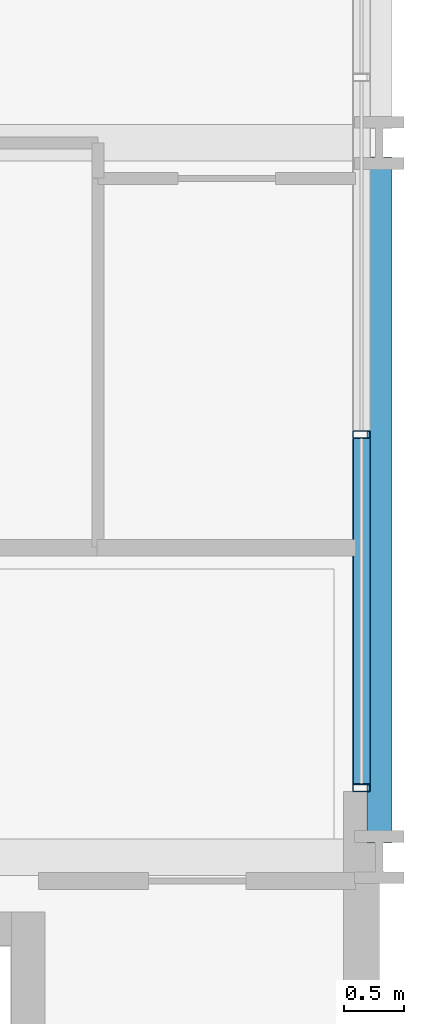
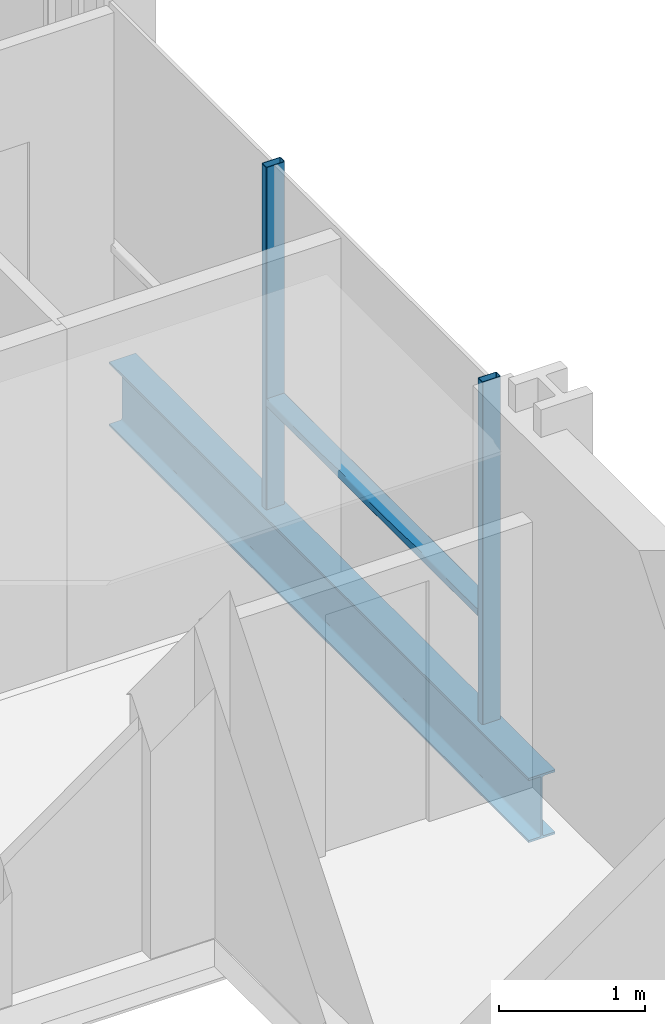
# One storey, part 15 of 41: 3 members, 1 beam, 1 element without a shape of its own.
"""IFC4 building model written with IfcOpenShell, lengths in metres."""

from ifc_helpers import new_model, si_unit, direction, frame, origin, origin_2d, place, context, subcontext, project, spatial, hollow_rectangle, i_section, extrude, material, layer, layer_set, material_profile, profile_set, type_object, element, aggregate, save


model = new_model("IFC4")

# Units and contexts
model_context = context("Model", 3, precision=1e-05, world=origin(), true_north=direction((0.0, 1.0)))
body_context = subcontext(model_context, "Body", "Model", "MODEL_VIEW")
ifc_project = project(units=[si_unit("LENGTHUNIT", "METRE"), si_unit("AREAUNIT", "SQUARE_METRE"), si_unit("VOLUMEUNIT", "CUBIC_METRE"), si_unit("PLANEANGLEUNIT", "RADIAN"), si_unit("MASSUNIT", "GRAM", prefix="KILO")], contexts=[model_context])

# Site, building, storey
site_placement = place(None, origin())
site = spatial("IfcSite", under=ifc_project, at=site_placement, CompositionType="ELEMENT")
building_placement = place(site_placement, origin())
building = spatial("IfcBuilding", under=site, at=building_placement, Name="Brevholm Reach", CompositionType="ELEMENT")
storey_placement = place(building_placement, frame((0.0, 0.0, 55.89990234375)))
storey = spatial("IfcBuildingStorey", under=building, at=storey_placement, Name="L15", CompositionType="ELEMENT", Elevation=55.89990234375)

# Beam
ifc_material_1 = material(Name="Structural Steel S355J2", Category="steel")
ifc_material_profile_1 = material_profile(ifc_material_1, i_section(OverallWidth=0.210693359375, OverallDepth=0.53955078125, WebThickness=0.01171875, FlangeThickness=0.018798828125, FilletRadius=0.0126953125, at=origin_2d()), Name="UKB 533x210x109")
ifc_profile_set_1 = profile_set([ifc_material_profile_1], Name="Structural Steel S355J2")
beam_type = type_object("IfcBeamType", Name="BM-SP539", PredefinedType="SPANDREL", material=ifc_profile_set_1)
beam_placement = place(storey_placement, frame((60.0, 10.1201171875, -0.499755859375), z_axis=(0.0, 1.0, 0.0), x_axis=(-1.0, 0.0, 0.0)))
element("IfcBeam", 1, at=beam_placement, inside=storey, type_object=beam_type, Name="L15 SP-01B Framing Beam", PredefinedType="SPANDREL", context=body_context, shape_type="SweptSolid", body=[
    extrude(i_section(OverallWidth=0.210693359375, OverallDepth=0.53955078125, WebThickness=0.01171875, FlangeThickness=0.018798828125, FilletRadius=0.0126953125, at=origin_2d()), origin(), (0.0, 0.0, 1.0), 5.759765625),
])

# Curtain wall, members
ifc_material_2 = material(Name="Dark Anodised Aluminium 6063-T6 and Solar-Control Glass", Category="aluminium")
ifc_layer = layer(ifc_material_2, 0.14990234375)
ifc_layer_set = layer_set([ifc_layer], Name="Dark Anodised Aluminium 6063-T6 and Solar-Control Glass")
curtain_wall_type = type_object("IfcCurtainWallType", Name="CW-01", PredefinedType="NOTDEFINED", material=ifc_layer_set)
curtain_wall_placement = place(storey_placement, origin())
curtain_wall = element("IfcCurtainWall", 2, at=curtain_wall_placement, inside=storey, type_object=curtain_wall_type, Name="L15 Curtain Wall CW-01", PredefinedType="NOTDEFINED")
ifc_material_3 = material(Name="Dark Anodised Aluminium 6063-T6", Category="aluminium")
ifc_material_profile_2 = material_profile(ifc_material_3, hollow_rectangle(XDim=0.06494140625, YDim=0.14990234375, WallThickness=0.0048828125, InnerFilletRadius=0.0048828125, OuterFilletRadius=0.010009765625, at=origin_2d()), Name="RHS 150x65x5")
ifc_profile_set_2 = profile_set([ifc_material_profile_2], Name="Dark Anodised Aluminium 6063-T6")
member_type_1 = type_object("IfcMemberType", Name="CWM-150", PredefinedType="MULLION", material=ifc_profile_set_2)
member_1_placement = place(storey_placement, frame((59.85009765625, 10.58251953125, 0.0), z_axis=(0.0, 0.0, 1.0), x_axis=(0.0, 1.0, 0.0)))
member_1 = element("IfcMember", 3, at=member_1_placement, type_object=member_type_1, Name="CM-150 Mullion 1", PredefinedType="MULLION", context=body_context, shape_type="SweptSolid", body=[
    extrude(hollow_rectangle(XDim=0.06494140625, YDim=0.14990234375, WallThickness=0.0048828125, InnerFilletRadius=0.0048828125, OuterFilletRadius=0.010009765625, at=origin_2d()), origin(), (0.0, 0.0, 1.0), 2.8701171875),
])
member_2_placement = place(storey_placement, frame((59.85009765625, 13.550048828125, 0.0), z_axis=(0.0, 0.0, 1.0), x_axis=(0.0, 1.0, 0.0)))
member_2 = element("IfcMember", 4, at=member_2_placement, type_object=member_type_1, Name="CM-150 Mullion 2", PredefinedType="MULLION", context=body_context, shape_type="SweptSolid", body=[
    extrude(hollow_rectangle(XDim=0.06494140625, YDim=0.14990234375, WallThickness=0.0048828125, InnerFilletRadius=0.0048828125, OuterFilletRadius=0.010009765625, at=origin_2d()), origin(), (0.0, 0.0, 1.0), 2.8701171875),
])
ifc_material_4 = material(Name="Dark Anodised Aluminium 6063-T6", Category="aluminium")
ifc_material_profile_3 = material_profile(ifc_material_4, hollow_rectangle(XDim=0.06494140625, YDim=0.14990234375, WallThickness=0.0048828125, InnerFilletRadius=0.0048828125, OuterFilletRadius=0.010009765625, at=origin_2d()), Name="RHS 150x65x5")
ifc_profile_set_3 = profile_set([ifc_material_profile_3], Name="Dark Anodised Aluminium 6063-T6")
member_type_2 = type_object("IfcMemberType", Name="CWT-150", PredefinedType="NOTDEFINED", material=ifc_profile_set_3)
member_3_placement = place(storey_placement, frame((59.85009765625, 10.614990234375, 0.900146484375), z_axis=(0.0, 1.0, 0.0), x_axis=(0.0, 0.0, 1.0)))
member_3 = element("IfcMember", 5, at=member_3_placement, type_object=member_type_2, Name="CT-150 Transom 1.1", ObjectType="TRANSOM", PredefinedType="USERDEFINED", context=body_context, shape_type="SweptSolid", body=[
    extrude(hollow_rectangle(XDim=0.06494140625, YDim=0.14990234375, WallThickness=0.0048828125, InnerFilletRadius=0.0048828125, OuterFilletRadius=0.010009765625, at=origin_2d()), origin(), (0.0, 0.0, 1.0), 2.902587890625),
])
aggregate(curtain_wall, [member_1, member_2, member_3])

save(model, "model.ifc")
